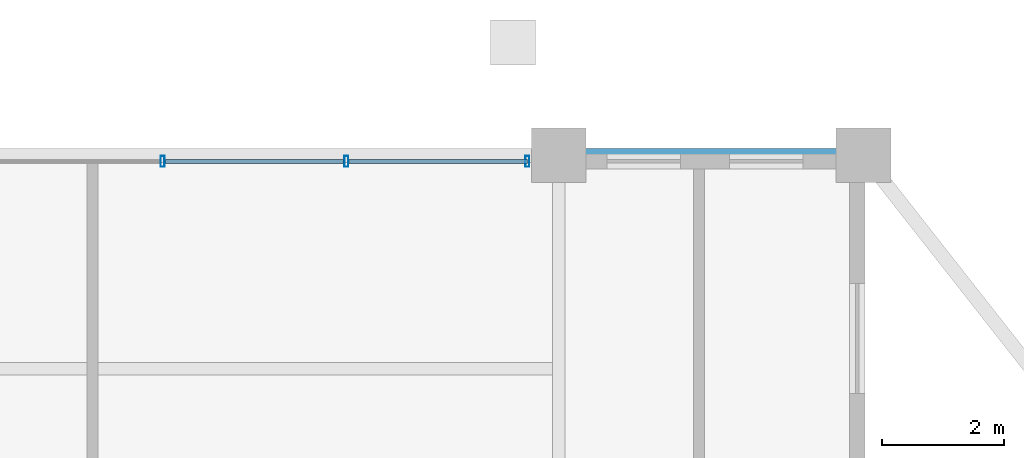
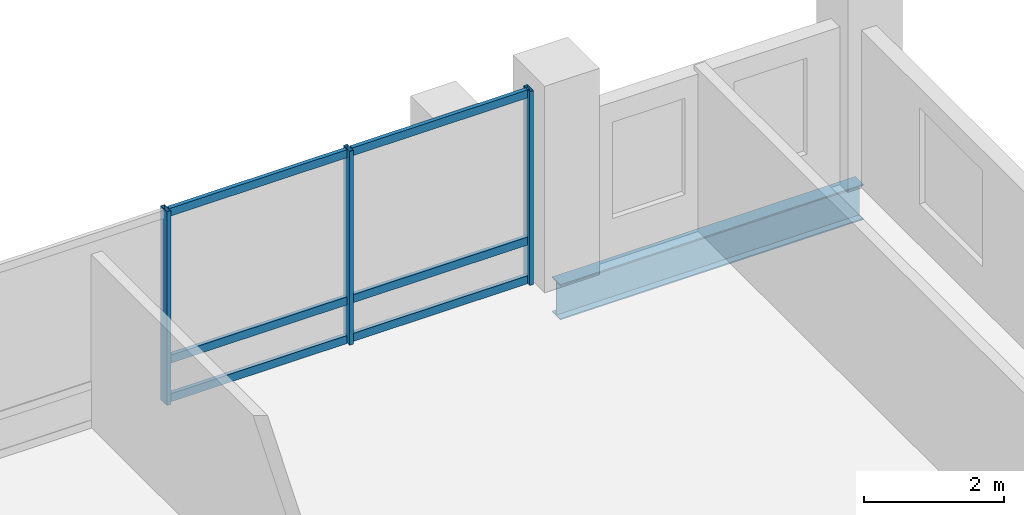
# One storey, part 14 of 21: 9 members, 1 beam, 1 element without a shape of its own.
"""IFC4 building model written with IfcOpenShell, lengths in metres."""

from ifc_helpers import new_model, si_unit, direction, frame, origin, origin_2d, place, context, subcontext, project, spatial, hollow_rectangle, i_section, extrude, material, layer, layer_set, material_profile, profile_set, type_object, element, aggregate, save


model = new_model("IFC4")

# Units and contexts
model_context = context("Model", 3, precision=1e-05, world=origin(), true_north=direction((0.0, 1.0)))
body_context = subcontext(model_context, "Body", "Model", "MODEL_VIEW")
ifc_project = project(units=[si_unit("LENGTHUNIT", "METRE"), si_unit("AREAUNIT", "SQUARE_METRE"), si_unit("VOLUMEUNIT", "CUBIC_METRE"), si_unit("PLANEANGLEUNIT", "RADIAN"), si_unit("MASSUNIT", "GRAM", prefix="KILO")], contexts=[model_context])

# Site, building, storey
site_placement = place(None, origin())
site = spatial("IfcSite", under=ifc_project, at=site_placement, CompositionType="ELEMENT")
building_placement = place(site_placement, origin())
building = spatial("IfcBuilding", under=site, at=building_placement, Name="Barlavira Tower and Art Museum", CompositionType="ELEMENT")
storey_placement = place(building_placement, frame((0.0, 0.0, 287.10009765625)))
storey = spatial("IfcBuildingStorey", under=building, at=storey_placement, Name="L75", CompositionType="ELEMENT", Elevation=287.10009765625)

# Curtain wall, members
ifc_material_1 = material(Name="Low-iron coastal laminated glass", Category="glass")
ifc_layer = layer(ifc_material_1, 0.2099609375, Name="Low-iron coastal laminated glass")
ifc_layer_set = layer_set([ifc_layer], Name="Low-iron coastal laminated glass")
curtain_wall_type = type_object("IfcCurtainWallType", Name="Pale-Metal Unitised Curtain Wall Zone 4", PredefinedType="NOTDEFINED", material=ifc_layer_set)
curtain_wall_placement = place(storey_placement, origin())
curtain_wall = element("IfcCurtainWall", 1, at=curtain_wall_placement, inside=storey, type_object=curtain_wall_type, Name="L75 Curtain Wall CW4-L75-N-B2", PredefinedType="NOTDEFINED")
ifc_material_2 = material(Name="Pale anodised aluminium", Category="aluminium")
ifc_material_profile_1 = material_profile(ifc_material_2, hollow_rectangle(XDim=0.06494140625, YDim=0.179931640625, WallThickness=0.00390625, at=origin_2d()), Name="ALU-MULL 65x180x4")
ifc_profile_set_1 = profile_set([ifc_material_profile_1], Name="Pale anodised aluminium")
member_type_1 = type_object("IfcMemberType", Name="Curtain Wall Pale-Metal Mullion 65x180", PredefinedType="MULLION", material=ifc_profile_set_1)
member_1_placement = place(storey_placement, frame((5.985107421875, 19.89990234375, 0.0), z_axis=(0.0, 0.0, 1.0), x_axis=(-1.0, 0.0, 0.0)))
member_1 = element("IfcMember", 2, at=member_1_placement, type_object=member_type_1, Name="CW4-L75-N-B2 Mullion 0", PredefinedType="MULLION", context=body_context, shape_type="SweptSolid", body=[
    extrude(hollow_rectangle(XDim=0.06494140625, YDim=0.179931640625, WallThickness=0.00390625, at=origin_2d()), origin(), (0.0, 0.0, 1.0), 3.3798828125),
])
member_2_placement = place(storey_placement, frame((3.014892578125, 19.89990234375, 0.0), z_axis=(0.0, 0.0, 1.0), x_axis=(-1.0, 0.0, 0.0)))
member_2 = element("IfcMember", 3, at=member_2_placement, type_object=member_type_1, Name="CW4-L75-N-B2 Mullion 1", PredefinedType="MULLION", context=body_context, shape_type="SweptSolid", body=[
    extrude(hollow_rectangle(XDim=0.06494140625, YDim=0.179931640625, WallThickness=0.00390625, at=origin_2d()), origin(), (0.0, 0.0, 1.0), 3.3798828125),
])
member_3_placement = place(storey_placement, frame((0.0, 19.89990234375, 0.0), z_axis=(0.0, 0.0, 1.0), x_axis=(-1.0, 0.0, 0.0)))
member_3 = element("IfcMember", 4, at=member_3_placement, type_object=member_type_1, Name="CW4-L75-N-B2 Mullion 2", PredefinedType="MULLION", context=body_context, shape_type="SweptSolid", body=[
    extrude(hollow_rectangle(XDim=0.06494140625, YDim=0.179931640625, WallThickness=0.00390625, at=origin_2d()), origin(), (0.0, 0.0, 1.0), 3.3798828125),
])
ifc_material_profile_2 = material_profile(ifc_material_2, hollow_rectangle(XDim=0.06494140625, YDim=0.139892578125, WallThickness=0.00390625, at=origin_2d()), Name="ALU-TRAN 65x140x4")
ifc_profile_set_2 = profile_set([ifc_material_profile_2], Name="Pale anodised aluminium")
member_type_2 = type_object("IfcMemberType", Name="Curtain Wall Pale-Metal Transom 65x140", PredefinedType="USERDEFINED", material=ifc_profile_set_2)
member_4_placement = place(storey_placement, frame((5.985107421875, 19.89990234375, 0.06982421875), z_axis=(-1.0, 0.0, 0.0), x_axis=(0.0, -1.0, 0.0)))
member_4 = element("IfcMember", 5, at=member_4_placement, type_object=member_type_2, Name="CW4-L75-N-B2 Transom 0.1", ObjectType="TRANSOM", PredefinedType="USERDEFINED", context=body_context, shape_type="SweptSolid", body=[
    extrude(hollow_rectangle(XDim=0.06494140625, YDim=0.139892578125, WallThickness=0.00390625, at=origin_2d()), origin(), (0.0, 0.0, 1.0), 2.925048828125),
])
member_5_placement = place(storey_placement, frame((5.985107421875, 19.89990234375, 0.743896484375), z_axis=(-1.0, 0.0, 0.0), x_axis=(0.0, -1.0, 0.0)))
member_5 = element("IfcMember", 6, at=member_5_placement, type_object=member_type_2, Name="CW4-L75-N-B2 Transom 0.2", ObjectType="TRANSOM", PredefinedType="USERDEFINED", context=body_context, shape_type="SweptSolid", body=[
    extrude(hollow_rectangle(XDim=0.06494140625, YDim=0.139892578125, WallThickness=0.00390625, at=origin_2d()), origin(), (0.0, 0.0, 1.0), 2.925048828125),
])
member_6_placement = place(storey_placement, frame((5.985107421875, 19.89990234375, 3.309814453125), z_axis=(-1.0, 0.0, 0.0), x_axis=(0.0, -1.0, 0.0)))
member_6 = element("IfcMember", 7, at=member_6_placement, type_object=member_type_2, Name="CW4-L75-N-B2 Transom 0.3", ObjectType="TRANSOM", PredefinedType="USERDEFINED", context=body_context, shape_type="SweptSolid", body=[
    extrude(hollow_rectangle(XDim=0.06494140625, YDim=0.139892578125, WallThickness=0.00390625, at=origin_2d()), origin(), (0.0, 0.0, 1.0), 2.925048828125),
])
member_7_placement = place(storey_placement, frame((2.969970703125, 19.89990234375, 0.06982421875), z_axis=(-1.0, 0.0, 0.0), x_axis=(0.0, -1.0, 0.0)))
member_7 = element("IfcMember", 8, at=member_7_placement, type_object=member_type_2, Name="CW4-L75-N-B2 Transom 1.1", ObjectType="TRANSOM", PredefinedType="USERDEFINED", context=body_context, shape_type="SweptSolid", body=[
    extrude(hollow_rectangle(XDim=0.06494140625, YDim=0.139892578125, WallThickness=0.00390625, at=origin_2d()), origin(), (0.0, 0.0, 1.0), 2.925048828125),
])
member_8_placement = place(storey_placement, frame((2.969970703125, 19.89990234375, 0.743896484375), z_axis=(-1.0, 0.0, 0.0), x_axis=(0.0, -1.0, 0.0)))
member_8 = element("IfcMember", 9, at=member_8_placement, type_object=member_type_2, Name="CW4-L75-N-B2 Transom 1.2", ObjectType="TRANSOM", PredefinedType="USERDEFINED", context=body_context, shape_type="SweptSolid", body=[
    extrude(hollow_rectangle(XDim=0.06494140625, YDim=0.139892578125, WallThickness=0.00390625, at=origin_2d()), origin(), (0.0, 0.0, 1.0), 2.925048828125),
])
member_9_placement = place(storey_placement, frame((2.969970703125, 19.89990234375, 3.309814453125), z_axis=(-1.0, 0.0, 0.0), x_axis=(0.0, -1.0, 0.0)))
member_9 = element("IfcMember", 10, at=member_9_placement, type_object=member_type_2, Name="CW4-L75-N-B2 Transom 1.3", ObjectType="TRANSOM", PredefinedType="USERDEFINED", context=body_context, shape_type="SweptSolid", body=[
    extrude(hollow_rectangle(XDim=0.06494140625, YDim=0.139892578125, WallThickness=0.00390625, at=origin_2d()), origin(), (0.0, 0.0, 1.0), 2.925048828125),
])
aggregate(curtain_wall, [member_1, member_2, member_3, member_4, member_5, member_6, member_7, member_8, member_9])

# Beam
ifc_material_3 = material(Name="Steel S355", Category="steel")
ifc_material_profile_3 = material_profile(ifc_material_3, i_section(OverallWidth=0.22998046875, OverallDepth=0.616943359375, WebThickness=0.01318359375, FlangeThickness=0.022216796875, at=origin_2d()), Name="W610x140.0")
ifc_profile_set_3 = profile_set([ifc_material_profile_3], Name="Steel S355")
beam_type = type_object("IfcBeamType", Name="Upper Shaft Spandrel Edge Beam W610x140 Steel S355", PredefinedType="SPANDREL", material=ifc_profile_set_3)
beam_placement = place(storey_placement, frame((6.5, 20.0, -0.528564453125), z_axis=(1.0, 0.0, 0.0), x_axis=(0.0, 1.0, 0.0)))
element("IfcBeam", 11, at=beam_placement, inside=storey, type_object=beam_type, Name="L75 Spandrel 9", PredefinedType="SPANDREL", context=body_context, shape_type="SweptSolid", body=[
    extrude(i_section(OverallWidth=0.22998046875, OverallDepth=0.616943359375, WebThickness=0.01318359375, FlangeThickness=0.022216796875, at=origin_2d()), origin(), (0.0, 0.0, 1.0), 5.0),
])

save(model, "model.ifc")
